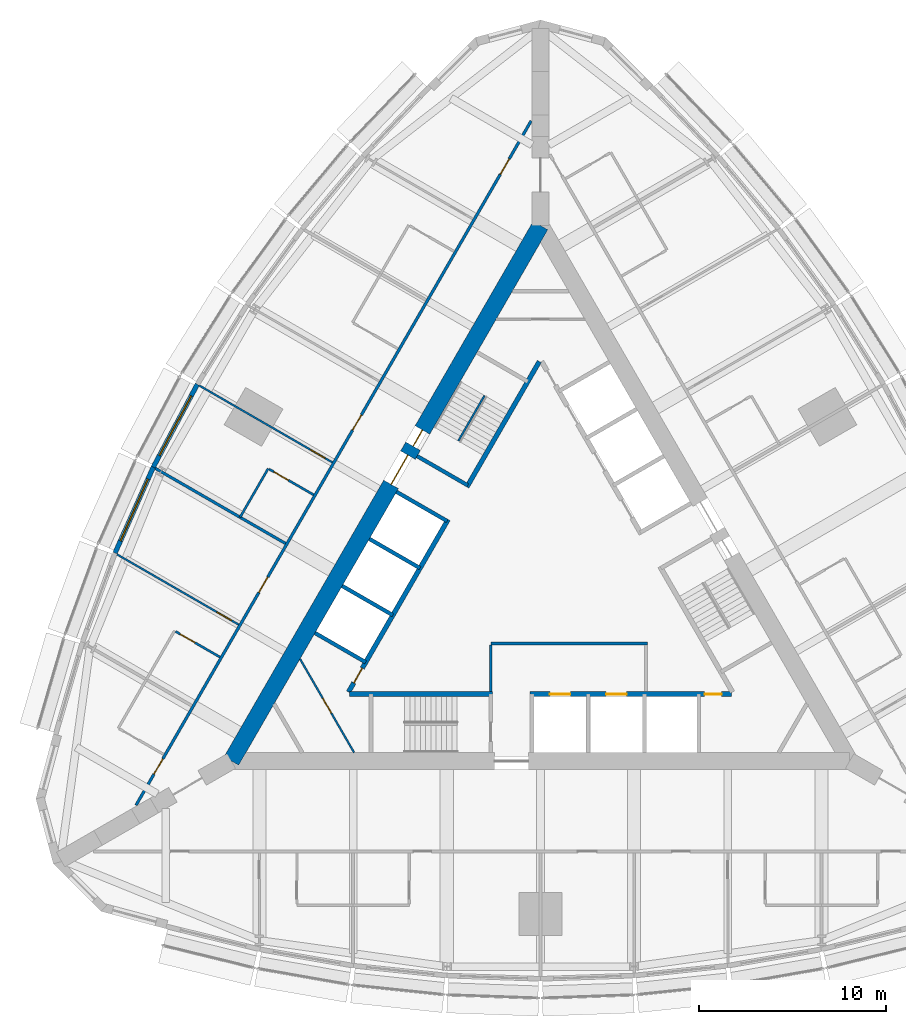
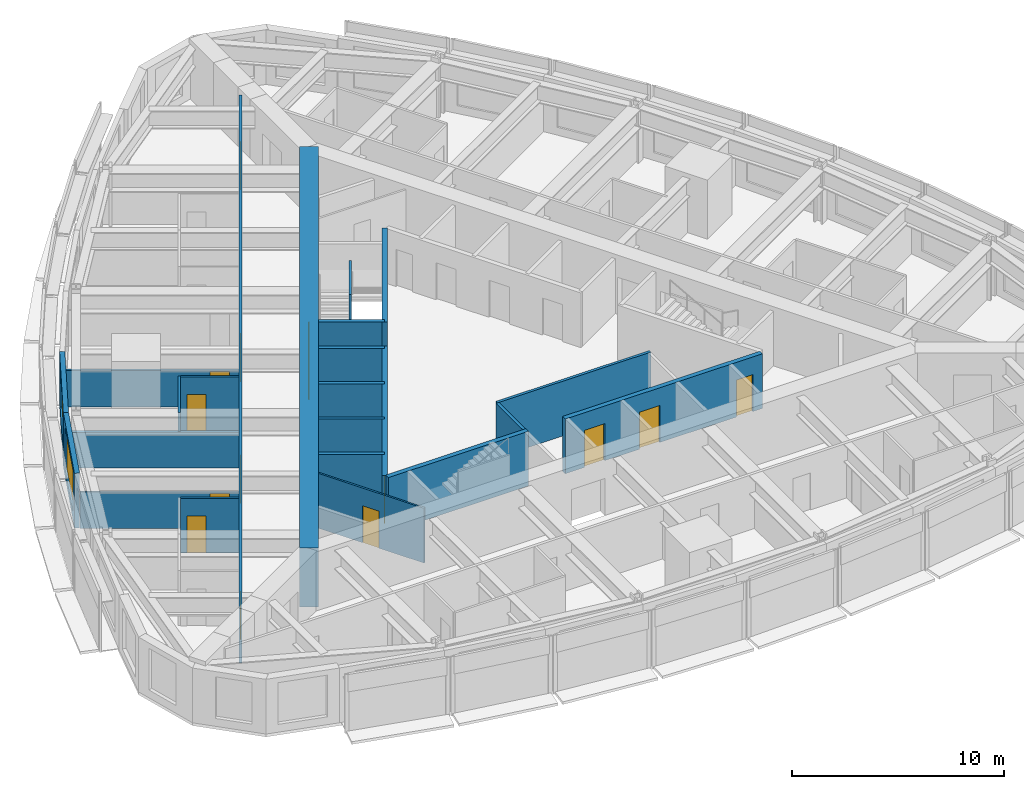
# One storey, part 10 of 15: 23 walls, 15 doors, 2 windows, 17 openings.
"""IFC4 building model written with IfcOpenShell, lengths in metres."""

from ifc_helpers import new_model, si_unit, direction, frame, frame_2d, origin, place, context, subcontext, project, spatial, rectangle, extrude, material, layer, layer_set, type_object, element, fill, save


model = new_model("IFC4")

# Units and contexts
model_context = context("Model", 3, precision=1e-05, world=origin(), true_north=direction((0.0, 1.0)))
body_context = subcontext(model_context, "Body", "Model", "MODEL_VIEW")
ifc_project = project(units=[si_unit("LENGTHUNIT", "METRE"), si_unit("AREAUNIT", "SQUARE_METRE"), si_unit("VOLUMEUNIT", "CUBIC_METRE"), si_unit("PLANEANGLEUNIT", "RADIAN"), si_unit("MASSUNIT", "GRAM", prefix="KILO")], contexts=[model_context])

# Site, building, storey
site_placement = place(None, origin())
site = spatial("IfcSite", under=ifc_project, at=site_placement, CompositionType="ELEMENT")
building_placement = place(site_placement, origin())
building = spatial("IfcBuilding", under=site, at=building_placement, Name="Trikona Tower", CompositionType="ELEMENT")
storey_placement = place(building_placement, frame((0.0, 0.0, 186.10009765625)))
storey = spatial("IfcBuildingStorey", under=building, at=storey_placement, Name="L50", CompositionType="ELEMENT", Elevation=186.10009765625)

# Wall
ifc_material_1 = material(Name="Metal stud and cement board", Category="gypsum")
ifc_layer_1 = layer(ifc_material_1, 0.1201171875)
ifc_layer_set_1 = layer_set([ifc_layer_1], Name="Bathroom wall 120")
wall_type_1 = type_object("IfcWallType", Name="Bathroom wall 120", PredefinedType="PLUMBINGWALL", material=ifc_layer_set_1)
wall_1_placement = place(storey_placement, frame((-14.53271484375, 6.0810546875, 0.0), z_axis=(0.0, 0.0, 1.0), x_axis=(-0.499990139034, -0.866031096941, 0.0)))
element("IfcWall", 1, at=wall_1_placement, inside=storey, type_object=wall_type_1, Name="Bathroom wall 5010.2", PredefinedType="PLUMBINGWALL", context=body_context, shape_type="SweptSolid", body=[
    extrude(rectangle(XDim=3.0, YDim=0.1201171875, at=frame_2d((1.5, 0.0))), origin(), (0.0, 0.0, 1.0), 3.14990234375),
])

# Wall, opening, door
wall_2_placement = place(storey_placement, frame((-12.10791015625, 4.68115234375, 0.0), z_axis=(0.0, 0.0, 1.0), x_axis=(-0.866035715982, 0.499982138324, 0.0)))
wall_2 = element("IfcWall", 2, at=wall_2_placement, inside=storey, type_object=wall_type_1, Name="Bathroom wall 5010.2", PredefinedType="PLUMBINGWALL", context=body_context, shape_type="SweptSolid", body=[
    extrude(rectangle(XDim=2.73974609375, YDim=0.1201171875, at=frame_2d((1.369873046875, 0.0))), origin(), (0.0, 0.0, 1.0), 3.14990234375),
])
opening_1_placement = place(wall_2_placement, frame((1.550048828125, 0.0, 0.0)))
opening_1 = element("IfcOpeningElement", 3, at=opening_1_placement, cuts=wall_2, Name="Opening D2", PredefinedType="OPENING", context=body_context, shape_type="SweptSolid", body=[
    extrude(rectangle(XDim=0.89990234375, YDim=2.1298828125, at=frame_2d((0.449951171875, 1.06494140625))), frame((0.0, 0.070068359375, 0.0), z_axis=(0.0, -1.0, 0.0), x_axis=(1.0, 0.0, 0.0)), (0.0, 0.0, 1.0), 0.14013671875),
])
ifc_material_2 = material(Name="Steel door frame with solid-core timber leaf", Category="steel")
door_type_1 = type_object("IfcDoorType", Name="Bathroom door 900x2130", OperationType="SLIDING_TO_LEFT", PredefinedType="DOOR", material=ifc_material_2)
door_1_placement = place(opening_1_placement, origin())
door_1 = element("IfcDoor", 4, at=door_1_placement, inside=storey, type_object=door_type_1, Name="Bathroom door 5010.2", OperationType="SLIDING_TO_LEFT", OverallHeight=2.1298828125, OverallWidth=0.89990234375, PredefinedType="DOOR", context=body_context, shape_type="SweptSolid", body=[
    extrude(rectangle(XDim=0.89990234375, YDim=2.1298828125, at=frame_2d((0.449951171875, 1.06494140625))), frame((0.0, 0.02490234375, 0.0), z_axis=(0.0, -1.0, 0.0), x_axis=(1.0, 0.0, 0.0)), (0.0, 0.0, 1.0), 0.050048828125),
])
fill(opening_1, door_1)

wall_3_placement = place(storey_placement, frame((-17.10791015625, -3.979248046875, 0.0), z_axis=(0.0, 0.0, 1.0), x_axis=(-0.865997131366, 0.500048966069, 0.0)))
wall_3 = element("IfcWall", 5, at=wall_3_placement, inside=storey, type_object=wall_type_1, Name="Bathroom wall 5011.1", PredefinedType="PLUMBINGWALL", context=body_context, shape_type="SweptSolid", body=[
    extrude(rectangle(XDim=2.739990234375, YDim=0.1201171875, at=frame_2d((1.3701171875, 0.0))), origin(), (0.0, 0.0, 1.0), 3.14990234375),
])
opening_2_placement = place(wall_3_placement, frame((1.550048828125, 0.0, 0.0)))
opening_2 = element("IfcOpeningElement", 6, at=opening_2_placement, cuts=wall_3, Name="Opening D2", PredefinedType="OPENING", context=body_context, shape_type="SweptSolid", body=[
    extrude(rectangle(XDim=0.89990234375, YDim=2.1298828125, at=frame_2d((0.449951171875, 1.06494140625))), frame((0.0, 0.070068359375, 0.0), z_axis=(0.0, -1.0, 0.0), x_axis=(1.0, 0.0, 0.0)), (0.0, 0.0, 1.0), 0.14013671875),
])
door_2_placement = place(opening_2_placement, origin())
door_2 = element("IfcDoor", 7, at=door_2_placement, inside=storey, type_object=door_type_1, Name="Bathroom door 5011.1", OperationType="SLIDING_TO_LEFT", OverallHeight=2.1298828125, OverallWidth=0.89990234375, PredefinedType="DOOR", context=body_context, shape_type="SweptSolid", body=[
    extrude(rectangle(XDim=0.89990234375, YDim=2.1298828125, at=frame_2d((0.449951171875, 1.06494140625))), frame((0.0, 0.02490234375, 0.0), z_axis=(0.0, -1.0, 0.0), x_axis=(1.0, 0.0, 0.0)), (0.0, 0.0, 1.0), 0.050048828125),
])
fill(opening_2, door_2)

# Wall, openings, doors
ifc_material_3 = material(Name="Concrete f'c 10000 psi", Category="concrete")
ifc_layer_2 = layer(ifc_material_3, 0.89990234375)
ifc_layer_set_2 = layer_set([ifc_layer_2], Name="Core wall 900")
wall_type_2 = type_object("IfcWallType", Name="Core wall 900", PredefinedType="SHEAR", material=ifc_layer_set_2)
wall_4_placement = place(storey_placement, frame((0.0, 19.052490234375, 0.0), z_axis=(0.0, 0.0, 1.0), x_axis=(-0.499999749417, -0.866025548458, 0.0)))
wall_4 = element("IfcWall", 8, at=wall_4_placement, inside=storey, type_object=wall_type_2, Name="Core wall C", PredefinedType="SHEAR", context=body_context, shape_type="SweptSolid", body=[
    extrude(rectangle(XDim=33.0, YDim=0.89990234375, at=frame_2d((16.5, 0.0))), origin(), (0.0, 0.0, 1.0), 3.39990234375),
])
opening_3_placement = place(wall_4_placement, frame((14.14990234375, 0.0, 0.0)))
opening_3 = element("IfcOpeningElement", 9, at=opening_3_placement, cuts=wall_4, Name="Opening D6", PredefinedType="OPENING", context=body_context, shape_type="SweptSolid", body=[
    extrude(rectangle(XDim=1.800048828125, YDim=2.1298828125, at=frame_2d((0.89990234375, 1.06494140625))), frame((0.0, 0.4599609375, 0.0), z_axis=(0.0, -1.0, 0.0), x_axis=(1.0, 0.0, 0.0)), (0.0, 0.0, 1.0), 0.919921875),
])
opening_4_placement = place(wall_4_placement, frame((12.60009765625, 0.0, 0.0)))
opening_4 = element("IfcOpeningElement", 10, at=opening_4_placement, cuts=wall_4, Name="Opening D5", PredefinedType="OPENING", context=body_context, shape_type="SweptSolid", body=[
    extrude(rectangle(XDim=1.0, YDim=2.1298828125, at=frame_2d((0.5, 1.06494140625))), frame((0.0, 0.4599609375, 0.0), z_axis=(0.0, -1.0, 0.0), x_axis=(1.0, 0.0, 0.0)), (0.0, 0.0, 1.0), 0.919921875),
])
ifc_material_4 = material(Name="Hollow metal door and frame", Category="steel")
door_type_2 = type_object("IfcDoorType", Name="Lobby door pair 1800x2130", OperationType="DOUBLE_DOOR_SINGLE_SWING", PredefinedType="DOOR", material=ifc_material_4)
door_3_placement = place(opening_3_placement, origin())
door_3 = element("IfcDoor", 11, at=door_3_placement, inside=storey, type_object=door_type_2, Name="Lift lobby door C", OperationType="DOUBLE_DOOR_SINGLE_SWING", OverallHeight=2.1298828125, OverallWidth=1.800048828125, PredefinedType="DOOR", context=body_context, shape_type="SweptSolid", body=[
    extrude(rectangle(XDim=1.800048828125, YDim=2.1298828125, at=frame_2d((0.89990234375, 1.06494140625))), frame((0.0, 0.02490234375, 0.0), z_axis=(0.0, -1.0, 0.0), x_axis=(1.0, 0.0, 0.0)), (0.0, 0.0, 1.0), 0.050048828125),
])
fill(opening_3, door_3)
ifc_material_5 = material(Name="Hollow metal door and frame", Category="steel")
door_type_3 = type_object("IfcDoorType", Name="Stair door 1000x2130", OperationType="SINGLE_SWING_LEFT", PredefinedType="DOOR", material=ifc_material_5)
door_4_placement = place(opening_4_placement, origin())
door_4 = element("IfcDoor", 12, at=door_4_placement, inside=storey, type_object=door_type_3, Name="Stair C door", OperationType="SINGLE_SWING_RIGHT", OverallHeight=2.1298828125, OverallWidth=1.0, PredefinedType="DOOR", context=body_context, shape_type="SweptSolid", body=[
    extrude(rectangle(XDim=1.0, YDim=2.1298828125, at=frame_2d((0.5, 1.06494140625))), frame((0.0, 0.02490234375, 0.0), z_axis=(0.0, -1.0, 0.0), x_axis=(1.0, 0.0, 0.0)), (0.0, 0.0, 1.0), 0.050048828125),
])
fill(opening_4, door_4)

ifc_material_6 = material(Name="Metal stud and gypsum board, 1-hour", Category="gypsum")
ifc_layer_3 = layer(ifc_material_6, 0.14990234375)
ifc_layer_set_3 = layer_set([ifc_layer_3], Name="Corridor wall 150")
wall_type_3 = type_object("IfcWallType", Name="Corridor wall 150", PredefinedType="PARTITIONING", material=ifc_layer_set_3)
wall_5_placement = place(storey_placement, frame((-0.5, 24.636474609375, 0.0), z_axis=(0.0, 0.0, 1.0), x_axis=(-0.500001915564, -0.86602429783, 0.0)))
wall_5 = element("IfcWall", 13, at=wall_5_placement, inside=storey, type_object=wall_type_3, Name="Corridor wall L50-3", PredefinedType="PARTITIONING", context=body_context, shape_type="SweptSolid", body=[
    extrude(rectangle(XDim=42.171630859375, YDim=0.14990234375, at=frame_2d((21.0859375, 0.0))), origin(), (0.0, 0.0, 1.0), 3.14990234375),
])
opening_5_placement = place(wall_5_placement, frame((2.337646484375, 0.0, 0.0)))
opening_5 = element("IfcOpeningElement", 14, at=opening_5_placement, cuts=wall_5, Name="Opening D1", PredefinedType="OPENING", context=body_context, shape_type="SweptSolid", body=[
    extrude(rectangle(XDim=0.949951171875, YDim=2.1298828125, at=frame_2d((0.47509765625, 1.06494140625))), frame((0.0, 0.0849609375, 0.0), z_axis=(0.0, -1.0, 0.0), x_axis=(1.0, 0.0, 0.0)), (0.0, 0.0, 1.0), 0.169921875),
])
opening_6_placement = place(wall_5_placement, frame((18.11083984375, 0.0, 0.0)))
opening_6 = element("IfcOpeningElement", 15, at=opening_6_placement, cuts=wall_5, Name="Opening D1", PredefinedType="OPENING", context=body_context, shape_type="SweptSolid", body=[
    extrude(rectangle(XDim=0.949951171875, YDim=2.1298828125, at=frame_2d((0.47509765625, 1.06494140625))), frame((0.0, 0.0849609375, 0.0), z_axis=(0.0, -1.0, 0.0), x_axis=(1.0, 0.0, 0.0)), (0.0, 0.0, 1.0), 0.169921875),
])
opening_7_placement = place(wall_5_placement, frame((28.11083984375, 0.0, 0.0)))
opening_7 = element("IfcOpeningElement", 16, at=opening_7_placement, cuts=wall_5, Name="Opening D1", PredefinedType="OPENING", context=body_context, shape_type="SweptSolid", body=[
    extrude(rectangle(XDim=0.949951171875, YDim=2.1298828125, at=frame_2d((0.47509765625, 1.06494140625))), frame((0.0, 0.0849609375, 0.0), z_axis=(0.0, -1.0, 0.0), x_axis=(1.0, 0.0, 0.0)), (0.0, 0.0, 1.0), 0.169921875),
])
opening_8_placement = place(wall_5_placement, frame((39.310791015625, 0.0, 0.0)))
opening_8 = element("IfcOpeningElement", 17, at=opening_8_placement, cuts=wall_5, Name="Opening D1", PredefinedType="OPENING", context=body_context, shape_type="SweptSolid", body=[
    extrude(rectangle(XDim=0.949951171875, YDim=2.1298828125, at=frame_2d((0.47509765625, 1.06494140625))), frame((0.0, 0.0849609375, 0.0), z_axis=(0.0, -1.0, 0.0), x_axis=(1.0, 0.0, 0.0)), (0.0, 0.0, 1.0), 0.169921875),
])
ifc_material_7 = material(Name="Steel door frame with solid-core timber leaf", Category="steel")
door_type_4 = type_object("IfcDoorType", Name="Guest room door 950x2130", OperationType="SINGLE_SWING_LEFT", PredefinedType="DOOR", material=ifc_material_7)
door_5_placement = place(opening_5_placement, origin())
door_5 = element("IfcDoor", 18, at=door_5_placement, inside=storey, type_object=door_type_4, Name="Room door 5009", OperationType="SINGLE_SWING_LEFT", OverallHeight=2.1298828125, OverallWidth=0.949951171875, PredefinedType="DOOR", context=body_context, shape_type="SweptSolid", body=[
    extrude(rectangle(XDim=0.949951171875, YDim=2.1298828125, at=frame_2d((0.47509765625, 1.06494140625))), frame((0.0, 0.02490234375, 0.0), z_axis=(0.0, -1.0, 0.0), x_axis=(1.0, 0.0, 0.0)), (0.0, 0.0, 1.0), 0.050048828125),
])
fill(opening_5, door_5)
door_6_placement = place(opening_6_placement, origin())
door_6 = element("IfcDoor", 19, at=door_6_placement, inside=storey, type_object=door_type_4, Name="Room door 5010", OperationType="SINGLE_SWING_RIGHT", OverallHeight=2.1298828125, OverallWidth=0.949951171875, PredefinedType="DOOR", context=body_context, shape_type="SweptSolid", body=[
    extrude(rectangle(XDim=0.949951171875, YDim=2.1298828125, at=frame_2d((0.47509765625, 1.06494140625))), frame((0.0, 0.02490234375, 0.0), z_axis=(0.0, -1.0, 0.0), x_axis=(1.0, 0.0, 0.0)), (0.0, 0.0, 1.0), 0.050048828125),
])
fill(opening_6, door_6)
door_7_placement = place(opening_7_placement, origin())
door_7 = element("IfcDoor", 20, at=door_7_placement, inside=storey, type_object=door_type_4, Name="Room door 5011", OperationType="SINGLE_SWING_LEFT", OverallHeight=2.1298828125, OverallWidth=0.949951171875, PredefinedType="DOOR", context=body_context, shape_type="SweptSolid", body=[
    extrude(rectangle(XDim=0.949951171875, YDim=2.1298828125, at=frame_2d((0.47509765625, 1.06494140625))), frame((0.0, 0.02490234375, 0.0), z_axis=(0.0, -1.0, 0.0), x_axis=(1.0, 0.0, 0.0)), (0.0, 0.0, 1.0), 0.050048828125),
])
fill(opening_7, door_7)
door_8_placement = place(opening_8_placement, origin())
door_8 = element("IfcDoor", 21, at=door_8_placement, inside=storey, type_object=door_type_4, Name="Room door 5012", OperationType="SINGLE_SWING_RIGHT", OverallHeight=2.1298828125, OverallWidth=0.949951171875, PredefinedType="DOOR", context=body_context, shape_type="SweptSolid", body=[
    extrude(rectangle(XDim=0.949951171875, YDim=2.1298828125, at=frame_2d((0.47509765625, 1.06494140625))), frame((0.0, 0.02490234375, 0.0), z_axis=(0.0, -1.0, 0.0), x_axis=(1.0, 0.0, 0.0)), (0.0, 0.0, 1.0), 0.050048828125),
])
fill(opening_8, door_8)

# Wall
ifc_material_8 = material(Name="Concrete f'c 8000 psi", Category="concrete")
ifc_layer_4 = layer(ifc_material_8, 0.25)
ifc_layer_set_4 = layer_set([ifc_layer_4], Name="Hub wall 250")
wall_type_4 = type_object("IfcWallType", Name="Hub wall 250", PredefinedType="SOLIDWALL", material=ifc_layer_set_4)
wall_6_placement = place(storey_placement, frame((-10.182861328125, -5.951416015625, 0.0), z_axis=(0.0, 0.0, 1.0), x_axis=(1.0, 0.0, 0.0)))
element("IfcWall", 22, at=wall_6_placement, inside=storey, type_object=wall_type_4, Name="Lift lobby wall A1", PredefinedType="SOLIDWALL", context=body_context, shape_type="SweptSolid", body=[
    extrude(rectangle(XDim=7.6328125, YDim=0.25, at=frame_2d((3.81640625, 0.0))), origin(), (0.0, 0.0, 1.0), 3.14990234375),
])

# Wall, openings, doors
wall_7_placement = place(storey_placement, frame((-0.550048828125, -5.951416015625, 0.0), z_axis=(0.0, 0.0, 1.0), x_axis=(1.0, 0.0, 0.0)))
wall_7 = element("IfcWall", 23, at=wall_7_placement, inside=storey, type_object=wall_type_4, Name="Lift lobby wall A2", PredefinedType="SOLIDWALL", context=body_context, shape_type="SweptSolid", body=[
    extrude(rectangle(XDim=10.73291015625, YDim=0.25, at=frame_2d((5.366455078125, 0.0))), origin(), (0.0, 0.0, 1.0), 3.14990234375),
])
opening_9_placement = place(wall_7_placement, frame((9.31396484375, 0.0, 0.0)))
opening_9 = element("IfcOpeningElement", 24, at=opening_9_placement, cuts=wall_7, Name="Opening D14", PredefinedType="OPENING", context=body_context, shape_type="SweptSolid", body=[
    extrude(rectangle(XDim=0.89990234375, YDim=2.1298828125, at=frame_2d((0.449951171875, 1.06494140625))), frame((0.0, 0.135009765625, 0.0), z_axis=(0.0, -1.0, 0.0), x_axis=(1.0, 0.0, 0.0)), (0.0, 0.0, 1.0), 0.27001953125),
])
opening_10_placement = place(wall_7_placement, frame((1.050048828125, 0.0, 0.0)))
opening_10 = element("IfcOpeningElement", 25, at=opening_10_placement, cuts=wall_7, Name="Opening LD", PredefinedType="OPENING", context=body_context, shape_type="SweptSolid", body=[
    extrude(rectangle(XDim=1.10009765625, YDim=2.1298828125, at=frame_2d((0.550048828125, 1.06494140625))), frame((0.0, 0.135009765625, 0.0), z_axis=(0.0, -1.0, 0.0), x_axis=(1.0, 0.0, 0.0)), (0.0, 0.0, 1.0), 0.27001953125),
])
opening_11_placement = place(wall_7_placement, frame((4.050048828125, 0.0, 0.0)))
opening_11 = element("IfcOpeningElement", 26, at=opening_11_placement, cuts=wall_7, Name="Opening LD", PredefinedType="OPENING", context=body_context, shape_type="SweptSolid", body=[
    extrude(rectangle(XDim=1.10009765625, YDim=2.1298828125, at=frame_2d((0.550048828125, 1.06494140625))), frame((0.0, 0.135009765625, 0.0), z_axis=(0.0, -1.0, 0.0), x_axis=(1.0, 0.0, 0.0)), (0.0, 0.0, 1.0), 0.27001953125),
])
ifc_material_9 = material(Name="Stainless steel lift landing door", Category="steel")
door_type_5 = type_object("IfcDoorType", Name="Lift landing door 1100x2130", OperationType="DOUBLE_DOOR_SLIDING", PredefinedType="USERDEFINED", material=ifc_material_9)
door_9_placement = place(opening_10_placement, origin())
door_9 = element("IfcDoor", 27, at=door_9_placement, inside=storey, type_object=door_type_5, Name="Lift landing door FF1", ObjectType="LIFT LANDING DOOR", OperationType="DOUBLE_DOOR_SLIDING", OverallHeight=2.1298828125, OverallWidth=1.10009765625, PredefinedType="USERDEFINED", context=body_context, shape_type="SweptSolid", body=[
    extrude(rectangle(XDim=1.10009765625, YDim=2.1298828125, at=frame_2d((0.550048828125, 1.06494140625))), frame((0.0, 0.02490234375, 0.0), z_axis=(0.0, -1.0, 0.0), x_axis=(1.0, 0.0, 0.0)), (0.0, 0.0, 1.0), 0.050048828125),
])
fill(opening_10, door_9)
door_10_placement = place(opening_11_placement, origin())
door_10 = element("IfcDoor", 28, at=door_10_placement, inside=storey, type_object=door_type_5, Name="Lift landing door FF2", ObjectType="LIFT LANDING DOOR", OperationType="DOUBLE_DOOR_SLIDING", OverallHeight=2.1298828125, OverallWidth=1.10009765625, PredefinedType="USERDEFINED", context=body_context, shape_type="SweptSolid", body=[
    extrude(rectangle(XDim=1.10009765625, YDim=2.1298828125, at=frame_2d((0.550048828125, 1.06494140625))), frame((0.0, 0.02490234375, 0.0), z_axis=(0.0, -1.0, 0.0), x_axis=(1.0, 0.0, 0.0)), (0.0, 0.0, 1.0), 0.050048828125),
])
fill(opening_11, door_10)
ifc_material_10 = material(Name="Hollow metal door and frame", Category="steel")
door_type_6 = type_object("IfcDoorType", Name="Service room door 900x2130", OperationType="SINGLE_SWING_LEFT", PredefinedType="DOOR", material=ifc_material_10)
door_11_placement = place(opening_9_placement, origin())
door_11 = element("IfcDoor", 29, at=door_11_placement, inside=storey, type_object=door_type_6, Name="Door Linen store LIN", OperationType="SINGLE_SWING_RIGHT", OverallHeight=2.1298828125, OverallWidth=0.89990234375, PredefinedType="DOOR", context=body_context, shape_type="SweptSolid", body=[
    extrude(rectangle(XDim=0.89990234375, YDim=2.1298828125, at=frame_2d((0.449951171875, 1.06494140625))), frame((0.0, 0.02490234375, 0.0), z_axis=(0.0, -1.0, 0.0), x_axis=(1.0, 0.0, 0.0)), (0.0, 0.0, 1.0), 0.050048828125),
])
fill(opening_9, door_11)

# Wall
wall_8_placement = place(storey_placement, frame((-0.0625, 11.794189453125, 0.0), z_axis=(0.0, 0.0, 1.0), x_axis=(-0.500006680225, -0.86602154692, 0.0)))
element("IfcWall", 30, at=wall_8_placement, inside=storey, type_object=wall_type_4, Name="Lift lobby wall C1", PredefinedType="SOLIDWALL", context=body_context, shape_type="SweptSolid", body=[
    extrude(rectangle(XDim=7.73291015625, YDim=0.25, at=frame_2d((3.866455078125, 0.0))), origin(), (0.0, 0.0, 1.0), 3.14990234375),
])

# Wall, opening, door
wall_9_placement = place(storey_placement, frame((-4.928955078125, 3.365478515625, 0.0), z_axis=(0.0, 0.0, 1.0), x_axis=(-0.499991433582, -0.866030349552, 0.0)))
wall_9 = element("IfcWall", 31, at=wall_9_placement, inside=storey, type_object=wall_type_4, Name="Lift lobby wall C2", PredefinedType="SOLIDWALL", context=body_context, shape_type="SweptSolid", body=[
    extrude(rectangle(XDim=10.633056640625, YDim=0.25, at=frame_2d((5.31640625, 0.0))), origin(), (0.0, 0.0, 1.0), 3.14990234375),
])
opening_12_placement = place(wall_9_placement, frame((9.1640625, 0.0, 0.0)))
opening_12 = element("IfcOpeningElement", 32, at=opening_12_placement, cuts=wall_9, Name="Opening D14", PredefinedType="OPENING", context=body_context, shape_type="SweptSolid", body=[
    extrude(rectangle(XDim=0.89990234375, YDim=2.1298828125, at=frame_2d((0.449951171875, 1.06494140625))), frame((0.0, 0.135009765625, 0.0), z_axis=(0.0, -1.0, 0.0), x_axis=(1.0, 0.0, 0.0)), (0.0, 0.0, 1.0), 0.27001953125),
])
door_12_placement = place(opening_12_placement, origin())
door_12 = element("IfcDoor", 33, at=door_12_placement, inside=storey, type_object=door_type_6, Name="Door Housekeeping store HKS", OperationType="SINGLE_SWING_RIGHT", OverallHeight=2.1298828125, OverallWidth=0.89990234375, PredefinedType="DOOR", context=body_context, shape_type="SweptSolid", body=[
    extrude(rectangle(XDim=0.89990234375, YDim=2.1298828125, at=frame_2d((0.449951171875, 1.06494140625))), frame((0.0, 0.02490234375, 0.0), z_axis=(0.0, -1.0, 0.0), x_axis=(1.0, 0.0, 0.0)), (0.0, 0.0, 1.0), 0.050048828125),
])
fill(opening_12, door_12)

# Wall, opening, window
ifc_material_11 = material(Name="Insulated precast concrete spandrel panel", Category="concrete")
ifc_layer_5 = layer(ifc_material_11, 0.25)
ifc_layer_set_5 = layer_set([ifc_layer_5], Name="Inner skin wall 250")
wall_type_5 = type_object("IfcWallType", Name="Inner skin wall 250", PredefinedType="STANDARD", material=ifc_layer_set_5)
wall_10_placement = place(storey_placement, frame((-18.314453125, 10.578857421875, 0.0), z_axis=(0.0, 0.0, 1.0), x_axis=(-0.469404966864, -0.882982999317, 0.0)))
wall_10 = element("IfcWall", 34, at=wall_10_placement, inside=storey, type_object=wall_type_5, Name="External wall L50-28", PredefinedType="STANDARD", context=body_context, shape_type="SweptSolid", body=[
    extrude(rectangle(XDim=5.0029296875, YDim=0.25, at=frame_2d((2.50146484375, 0.0))), origin(), (0.0, 0.0, 1.0), 3.14990234375),
])
opening_13_placement = place(wall_10_placement, frame((0.701416015625, 0.0, 0.449951171875)))
opening_13 = element("IfcOpeningElement", 35, at=opening_13_placement, cuts=wall_10, Name="Opening W3624", PredefinedType="OPENING", context=body_context, shape_type="SweptSolid", body=[
    extrude(rectangle(XDim=3.60009765625, YDim=2.39990234375, at=frame_2d((1.800048828125, 1.199951171875))), frame((0.0, 0.135009765625, 0.0), z_axis=(0.0, -1.0, 0.0), x_axis=(1.0, 0.0, 0.0)), (0.0, 0.0, 1.0), 0.27001953125),
])
ifc_material_12 = material(Name="Aluminium-framed double glazing", Category="aluminium")
window_type = type_object("IfcWindowType", Name="Window 3600x2400", PartitioningType="SINGLE_PANEL", PredefinedType="WINDOW", material=ifc_material_12)
window_1_placement = place(opening_13_placement, origin())
window_1 = element("IfcWindow", 36, at=window_1_placement, inside=storey, type_object=window_type, Name="Window 5010.2", OverallHeight=2.39990234375, OverallWidth=3.60009765625, PartitioningType="SINGLE_PANEL", PredefinedType="WINDOW", context=body_context, shape_type="SweptSolid", body=[
    extrude(rectangle(XDim=3.60009765625, YDim=2.39990234375, at=frame_2d((1.800048828125, 1.199951171875))), frame((0.0, 0.030029296875, 0.0), z_axis=(0.0, -1.0, 0.0), x_axis=(1.0, 0.0, 0.0)), (0.0, 0.0, 1.0), 0.06005859375),
])
fill(opening_13, window_1)

wall_11_placement = place(storey_placement, frame((-20.6591796875, 6.169189453125, 0.0), z_axis=(0.0, 0.0, 1.0), x_axis=(-0.406832200364, -0.913502906808, 0.0)))
wall_11 = element("IfcWall", 37, at=wall_11_placement, inside=storey, type_object=wall_type_5, Name="External wall L50-29", PredefinedType="STANDARD", context=body_context, shape_type="SweptSolid", body=[
    extrude(rectangle(XDim=5.027587890625, YDim=0.25, at=frame_2d((2.513671875, 0.0))), origin(), (0.0, 0.0, 1.0), 3.14990234375),
])
opening_14_placement = place(wall_11_placement, frame((0.713623046875, 0.0, 0.449951171875)))
opening_14 = element("IfcOpeningElement", 38, at=opening_14_placement, cuts=wall_11, Name="Opening W3624", PredefinedType="OPENING", context=body_context, shape_type="SweptSolid", body=[
    extrude(rectangle(XDim=3.60009765625, YDim=2.39990234375, at=frame_2d((1.800048828125, 1.199951171875))), frame((0.0, 0.135009765625, 0.0), z_axis=(0.0, -1.0, 0.0), x_axis=(1.0, 0.0, 0.0)), (0.0, 0.0, 1.0), 0.27001953125),
])
window_2_placement = place(opening_14_placement, origin())
window_2 = element("IfcWindow", 39, at=window_2_placement, inside=storey, type_object=window_type, Name="Window 5011", OverallHeight=2.39990234375, OverallWidth=3.60009765625, PartitioningType="SINGLE_PANEL", PredefinedType="WINDOW", context=body_context, shape_type="SweptSolid", body=[
    extrude(rectangle(XDim=3.60009765625, YDim=2.39990234375, at=frame_2d((1.800048828125, 1.199951171875))), frame((0.0, 0.030029296875, 0.0), z_axis=(0.0, -1.0, 0.0), x_axis=(1.0, 0.0, 0.0)), (0.0, 0.0, 1.0), 0.06005859375),
])
fill(opening_14, window_2)

# Walls
ifc_material_13 = material(Name="Metal stud and gypsum board, 2-hour shaft wall", Category="gypsum")
ifc_layer_6 = layer(ifc_material_13, 0.14990234375)
ifc_layer_set_6 = layer_set([ifc_layer_6], Name="Lobby wall 150")
wall_type_6 = type_object("IfcWallType", Name="Lobby wall 150", PredefinedType="PARTITIONING", material=ifc_layer_set_6)
wall_12_placement = place(storey_placement, frame((-2.64990234375, -3.251220703125, 0.0), z_axis=(0.0, 0.0, 1.0), x_axis=(1.0, 0.0, 0.0)))
element("IfcWall", 40, at=wall_12_placement, inside=storey, type_object=wall_type_6, Name="Fire service lift lobby wall 1", PredefinedType="PARTITIONING", context=body_context, shape_type="SweptSolid", body=[
    extrude(rectangle(XDim=8.349853515625, YDim=0.14990234375, at=frame_2d((4.1748046875, 0.0))), origin(), (0.0, 0.0, 1.0), 3.14990234375),
])
wall_13_placement = place(storey_placement, frame((-2.64990234375, -5.826416015625, 0.0), z_axis=(0.0, 0.0, 1.0), x_axis=(0.0, 1.0, 0.0)))
element("IfcWall", 41, at=wall_13_placement, inside=storey, type_object=wall_type_6, Name="Fire service lift lobby wall 2", PredefinedType="PARTITIONING", context=body_context, shape_type="SweptSolid", body=[
    extrude(rectangle(XDim=2.5, YDim=0.14990234375, at=frame_2d((1.25, 0.0))), origin(), (0.0, 0.0, 1.0), 3.14990234375),
])
ifc_material_14 = material(Name="Metal stud and gypsum board, 1-hour acoustic", Category="gypsum")
ifc_layer_7 = layer(ifc_material_14, 0.14990234375)
ifc_layer_set_7 = layer_set([ifc_layer_7], Name="Party wall 150")
wall_type_7 = type_object("IfcWallType", Name="Party wall 150", PredefinedType="PARTITIONING", material=ifc_layer_set_7)
wall_14_placement = place(storey_placement, frame((-13.60791015625, 2.0830078125, 0.0), z_axis=(0.0, 0.0, 1.0), x_axis=(-0.866028486751, 0.499994660107, 0.0)))
element("IfcWall", 42, at=wall_14_placement, inside=storey, type_object=wall_type_7, Name="Partition L50 F3 u5", PredefinedType="PARTITIONING", context=body_context, shape_type="SweptSolid", body=[
    extrude(rectangle(XDim=8.0224609375, YDim=0.14990234375, at=frame_2d((4.01123046875, 0.0))), origin(), (0.0, 0.0, 1.0), 2.0498046875),
])
ifc_material_15 = material(Name="Concrete f'c 8000 psi", Category="concrete")
ifc_layer_8 = layer(ifc_material_15, 0.199951171875)
ifc_layer_set_8 = layer_set([ifc_layer_8], Name="Shaft wall 200")
wall_type_8 = type_object("IfcWallType", Name="Shaft wall 200", PredefinedType="SOLIDWALL", material=ifc_layer_set_8)
for number, where, z_axis, x_axis, name in (
    (43, (-4.97900390625, 3.27880859375, 0.0), (0.0, 0.0, 1.0), (-0.866022959057, 0.500004234368, 0.0), "Shaft wall C3"),
    (44, (-6.428955078125, 0.767333984375, 0.0), (0.0, 0.0, 1.0), (-0.866022959057, 0.500004234368, 0.0), "Shaft wall C4"),
    (45, (-7.87890625, -1.744140625, 0.0), (0.0, 0.0, 1.0), (-0.866022959057, 0.500004234368, 0.0), "Shaft wall C5"),
    (46, (-9.3291015625, -4.255615234375, 0.0), (0.0, 0.0, 1.0), (-0.866022959057, 0.500004234368, 0.0), "Shaft wall C6"),
):
    element("IfcWall", number, at=place(storey_placement, frame(where, z_axis=z_axis, x_axis=x_axis)), inside=storey, type_object=wall_type_8, Name=name, PredefinedType="SOLIDWALL", context=body_context, shape_type="SweptSolid", body=[
        extrude(rectangle(XDim=3.125, YDim=0.199951171875, at=frame_2d((1.5625, 0.0))), origin(), (0.0, 0.0, 1.0), 3.14990234375),
    ])
ifc_material_16 = material(Name="Concrete f'c 8000 psi", Category="concrete")
ifc_layer_9 = layer(ifc_material_16, 0.199951171875)
ifc_layer_set_9 = layer_set([ifc_layer_9], Name="Shaft wall 200 load-bearing")
wall_type_9 = type_object("IfcWallType", Name="Shaft wall 200 load-bearing", PredefinedType="SOLIDWALL", material=ifc_layer_set_9)
wall_15_placement = place(storey_placement, frame((-3.87890625, 5.18408203125, 0.0), z_axis=(0.0, 0.0, 1.0), x_axis=(-0.866022959057, 0.500004234368, 0.0)))
element("IfcWall", 47, at=wall_15_placement, inside=storey, type_object=wall_type_9, Name="Shaft wall C2", PredefinedType="SOLIDWALL", context=body_context, shape_type="SweptSolid", body=[
    extrude(rectangle(XDim=3.125, YDim=0.199951171875, at=frame_2d((1.5625, 0.0))), origin(), (0.0, 0.0, 1.0), 3.14990234375),
])
ifc_material_17 = material(Name="Concrete f'c 5000 psi", Category="concrete")
ifc_layer_10 = layer(ifc_material_17, 0.10009765625)
ifc_layer_set_10 = layer_set([ifc_layer_10], Name="Stair spine wall 100")
wall_type_10 = type_object("IfcWallType", Name="Stair spine wall 100", PredefinedType="SOLIDWALL", material=ifc_layer_set_10)
wall_16_placement = place(storey_placement, frame((-2.98779296875, 9.9775390625, 0.0), z_axis=(0.0, 0.0, 1.0), x_axis=(-0.499992232847, -0.866029888106, 0.0)))
element("IfcWall", 48, at=wall_16_placement, inside=storey, type_object=wall_type_10, Name="Stair C spine wall L50", PredefinedType="SOLIDWALL", context=body_context, shape_type="SweptSolid", body=[
    extrude(rectangle(XDim=2.7939453125, YDim=0.10009765625, at=frame_2d((1.39697265625, 0.0))), origin(), (0.0, 0.0, 1.0), 3.39990234375),
])

# Wall, opening, door
ifc_material_18 = material(Name="Metal stud and gypsum board, acoustic", Category="gypsum")
ifc_layer_11 = layer(ifc_material_18, 0.10009765625)
ifc_layer_set_11 = layer_set([ifc_layer_11], Name="Suite partition 100")
wall_type_11 = type_object("IfcWallType", Name="Suite partition 100", PredefinedType="PARTITIONING", material=ifc_layer_set_11)
wall_17_placement = place(storey_placement, frame((-11.10791015625, 6.4130859375, 0.0), z_axis=(0.0, 0.0, 1.0), x_axis=(-0.866026407964, 0.499998260706, 0.0)))
wall_17 = element("IfcWall", 49, at=wall_17_placement, inside=storey, type_object=wall_type_11, Name="Suite partition L50 F3 u0", PredefinedType="PARTITIONING", context=body_context, shape_type="SweptSolid", body=[
    extrude(rectangle(XDim=8.19873046875, YDim=0.10009765625, at=frame_2d((4.099365234375, 0.0))), origin(), (0.0, 0.0, 1.0), 2.1083984375),
])
opening_15_placement = place(wall_17_placement, frame((0.449951171875, 0.0, 0.0)))
opening_15 = element("IfcOpeningElement", 50, at=opening_15_placement, cuts=wall_17, Name="Opening D16", PredefinedType="OPENING", context=body_context, shape_type="SweptSolid", body=[
    extrude(rectangle(XDim=0.89990234375, YDim=2.031982421875, at=frame_2d((0.449951171875, 1.01611328125))), frame((0.0, 0.06005859375, 0.0), z_axis=(0.0, -1.0, 0.0), x_axis=(1.0, 0.0, 0.0)), (0.0, 0.0, 1.0), 0.1201171875),
])
ifc_material_19 = material(Name="Steel door frame with solid-core timber leaf", Category="steel")
door_type_7 = type_object("IfcDoorType", Name="Suite door 900x2032", OperationType="SINGLE_SWING_LEFT", PredefinedType="DOOR", material=ifc_material_19)
door_13_placement = place(opening_15_placement, origin())
door_13 = element("IfcDoor", 51, at=door_13_placement, inside=storey, type_object=door_type_7, Name="Suite door 5010", OperationType="SINGLE_SWING_LEFT", OverallHeight=2.031982421875, OverallWidth=0.89990234375, PredefinedType="DOOR", context=body_context, shape_type="SweptSolid", body=[
    extrude(rectangle(XDim=0.89990234375, YDim=2.031982421875, at=frame_2d((0.449951171875, 1.01611328125))), frame((0.0, 0.02490234375, 0.0), z_axis=(0.0, -1.0, 0.0), x_axis=(1.0, 0.0, 0.0)), (0.0, 0.0, 1.0), 0.050048828125),
])
fill(opening_15, door_13)

wall_18_placement = place(storey_placement, frame((-16.10791015625, -2.2470703125, 0.0), z_axis=(0.0, 0.0, 1.0), x_axis=(-0.866025567496, 0.499999716443, 0.0)))
wall_18 = element("IfcWall", 52, at=wall_18_placement, inside=storey, type_object=wall_type_11, Name="Suite partition L50 F3 u10", PredefinedType="PARTITIONING", context=body_context, shape_type="SweptSolid", body=[
    extrude(rectangle(XDim=7.4951171875, YDim=0.10009765625, at=frame_2d((3.74755859375, 0.0))), origin(), (0.0, 0.0, 1.0), 2.1083984375),
])
opening_16_placement = place(wall_18_placement, frame((0.449951171875, 0.0, 0.0)))
opening_16 = element("IfcOpeningElement", 53, at=opening_16_placement, cuts=wall_18, Name="Opening D16", PredefinedType="OPENING", context=body_context, shape_type="SweptSolid", body=[
    extrude(rectangle(XDim=0.89990234375, YDim=2.031982421875, at=frame_2d((0.449951171875, 1.01611328125))), frame((0.0, 0.06005859375, 0.0), z_axis=(0.0, -1.0, 0.0), x_axis=(1.0, 0.0, 0.0)), (0.0, 0.0, 1.0), 0.1201171875),
])
door_14_placement = place(opening_16_placement, origin())
door_14 = element("IfcDoor", 54, at=door_14_placement, inside=storey, type_object=door_type_7, Name="Suite door 5011", OperationType="SINGLE_SWING_LEFT", OverallHeight=2.031982421875, OverallWidth=0.89990234375, PredefinedType="DOOR", context=body_context, shape_type="SweptSolid", body=[
    extrude(rectangle(XDim=0.89990234375, YDim=2.031982421875, at=frame_2d((0.449951171875, 1.01611328125))), frame((0.0, 0.02490234375, 0.0), z_axis=(0.0, -1.0, 0.0), x_axis=(1.0, 0.0, 0.0)), (0.0, 0.0, 1.0), 0.050048828125),
])
fill(opening_16, door_14)

wall_19_placement = place(storey_placement, frame((-9.947021484375, -9.076416015625, 0.0), z_axis=(0.0, 0.0, 1.0), x_axis=(-0.500027479704, 0.866009537788, 0.0)))
wall_19 = element("IfcWall", 55, at=wall_19_placement, inside=storey, type_object=wall_type_11, Name="Store partition L50-RS3", PredefinedType="PARTITIONING", context=body_context, shape_type="SweptSolid", body=[
    extrude(rectangle(XDim=5.773681640625, YDim=0.10009765625, at=frame_2d((2.88671875, 0.0))), origin(), (0.0, 0.0, 1.0), 3.14990234375),
])
opening_17_placement = place(wall_19_placement, frame((2.436767578125, 0.0, 0.0)))
opening_17 = element("IfcOpeningElement", 56, at=opening_17_placement, cuts=wall_19, Name="Opening D15", PredefinedType="OPENING", context=body_context, shape_type="SweptSolid", body=[
    extrude(rectangle(XDim=0.89990234375, YDim=2.1298828125, at=frame_2d((0.449951171875, 1.06494140625))), frame((0.0, 0.06005859375, 0.0), z_axis=(0.0, -1.0, 0.0), x_axis=(1.0, 0.0, 0.0)), (0.0, 0.0, 1.0), 0.1201171875),
])
ifc_material_20 = material(Name="Steel door frame with solid-core timber leaf", Category="steel")
door_type_8 = type_object("IfcDoorType", Name="Store door 900x2130", OperationType="SINGLE_SWING_LEFT", PredefinedType="DOOR", material=ifc_material_20)
door_15_placement = place(opening_17_placement, origin())
door_15 = element("IfcDoor", 57, at=door_15_placement, inside=storey, type_object=door_type_8, Name="Door Cleaner's store CLN", OperationType="SINGLE_SWING_RIGHT", OverallHeight=2.1298828125, OverallWidth=0.89990234375, PredefinedType="DOOR", context=body_context, shape_type="SweptSolid", body=[
    extrude(rectangle(XDim=0.89990234375, YDim=2.1298828125, at=frame_2d((0.449951171875, 1.06494140625))), frame((0.0, 0.02490234375, 0.0), z_axis=(0.0, -1.0, 0.0), x_axis=(1.0, 0.0, 0.0)), (0.0, 0.0, 1.0), 0.050048828125),
])
fill(opening_17, door_15)

save(model, "model.ifc")
